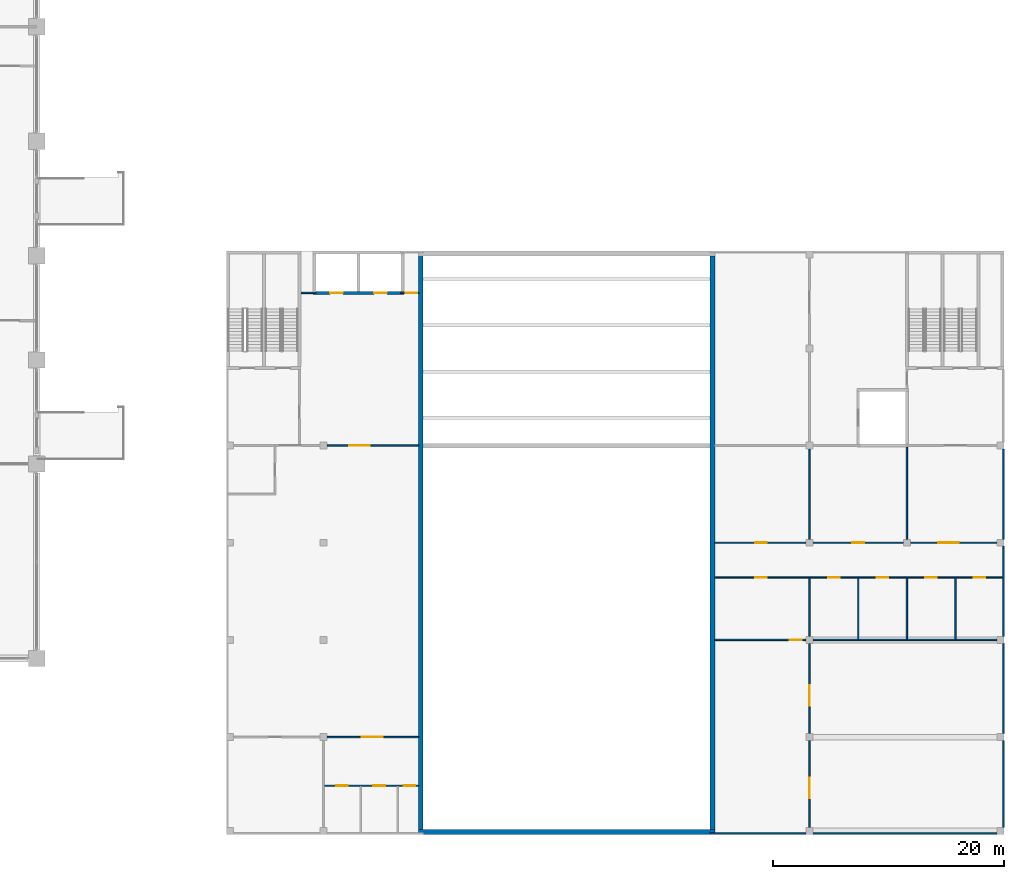
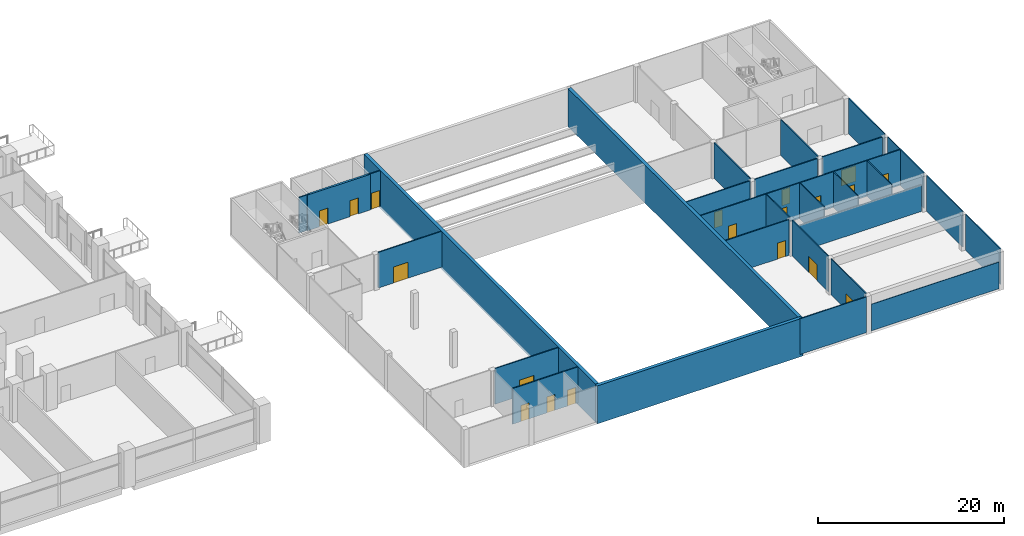
# One storey, part 24 of 33: 29 walls, 19 doors, 19 openings.
"""IFC4 building model written with IfcOpenShell, lengths in metres."""

from ifc_helpers import new_model, si_unit, direction, frame, frame_2d, origin, place, context, subcontext, project, spatial, rectangle, extrude, material, layer, layer_set, type_object, element, fill, save


model = new_model("IFC4")

# Units and contexts
model_context = context("Model", 3, precision=1e-05, world=origin(), true_north=direction((0.0, 1.0)))
body_context = subcontext(model_context, "Body", "Model", "MODEL_VIEW")
ifc_project = project(units=[si_unit("LENGTHUNIT", "METRE"), si_unit("AREAUNIT", "SQUARE_METRE"), si_unit("VOLUMEUNIT", "CUBIC_METRE"), si_unit("PLANEANGLEUNIT", "RADIAN"), si_unit("MASSUNIT", "GRAM", prefix="KILO")], contexts=[model_context])

# Site, building, storey
site_placement = place(None, origin())
site = spatial("IfcSite", under=ifc_project, at=site_placement, CompositionType="ELEMENT")
building_placement = place(site_placement, origin())
building = spatial("IfcBuilding", under=site, at=building_placement, Name="Candeia Pilgrim Tower and Theatre", CompositionType="ELEMENT")
storey_placement = place(building_placement, frame((0.0, 0.0, 29.0)))
storey = spatial("IfcBuildingStorey", under=building, at=storey_placement, Name="L04", CompositionType="ELEMENT", Elevation=29.0)

# Walls
ifc_material_1 = material(Name="Gypsum board on steel studs", Category="steel")
ifc_layer_1 = layer(ifc_material_1, 0.125)
ifc_layer_set_1 = layer_set([ifc_layer_1], Name="Partition 125")
wall_type_1 = type_object("IfcWallType", Name="Partition 125", PredefinedType="PARTITIONING", material=ifc_layer_set_1)
wall_1_placement = place(storey_placement, frame((217.800048828125, 66.0625, 0.0), z_axis=(0.0, 0.0, 1.0), x_axis=(1.0, 0.0, 0.0)))
element("IfcWall", 1, at=wall_1_placement, inside=storey, type_object=wall_type_1, Name="T-L04-W003", PredefinedType="PARTITIONING", context=body_context, shape_type="SweptSolid", body=[
    extrude(rectangle(XDim=8.300048828125, YDim=0.125, at=frame_2d((4.14990234375, 0.0))), origin(), (0.0, 0.0, 1.0), 4.699951171875),
])
wall_2_placement = place(storey_placement, frame((226.699951171875, 66.0625, 0.0), z_axis=(0.0, 0.0, 1.0), x_axis=(1.0, 0.0, 0.0)))
element("IfcWall", 2, at=wall_2_placement, inside=storey, type_object=wall_type_1, Name="T-L04-W004", PredefinedType="PARTITIONING", context=body_context, shape_type="SweptSolid", body=[
    extrude(rectangle(XDim=15.900146484375, YDim=0.125, at=frame_2d((7.9501953125, 0.0))), origin(), (0.0, 0.0, 1.0), 3.5),
])

# Wall, openings, doors
wall_3_placement = place(storey_placement, frame((184.46240234375, 70.199951171875, 0.0), z_axis=(0.0, 0.0, 1.0), x_axis=(1.0, 0.0, 0.0)))
wall_3 = element("IfcWall", 3, at=wall_3_placement, inside=storey, type_object=wall_type_1, Name="T-L04-W006", PredefinedType="PARTITIONING", context=body_context, shape_type="SweptSolid", body=[
    extrude(rectangle(XDim=8.1376953125, YDim=0.125, at=frame_2d((4.06884765625, 0.0))), origin(), (0.0, 0.0, 1.0), 4.699951171875),
])
opening_1_placement = place(wall_3_placement, frame((1.03759765625, 0.0, 0.0)))
opening_1 = element("IfcOpeningElement", 4, at=opening_1_placement, cuts=wall_3, Name="Opening TD-L04-013", PredefinedType="OPENING", context=body_context, shape_type="SweptSolid", body=[
    extrude(rectangle(XDim=1.0, YDim=2.10009765625, at=frame_2d((0.5, 1.050048828125))), frame((0.0, 0.072509765625, 0.0), z_axis=(0.0, -1.0, 0.0), x_axis=(1.0, 0.0, 0.0)), (0.0, 0.0, 1.0), 0.14501953125),
])
opening_2_placement = place(wall_3_placement, frame((4.237548828125, 0.0, 0.0)))
opening_2 = element("IfcOpeningElement", 5, at=opening_2_placement, cuts=wall_3, Name="Opening TD-L04-014", PredefinedType="OPENING", context=body_context, shape_type="SweptSolid", body=[
    extrude(rectangle(XDim=1.0, YDim=2.10009765625, at=frame_2d((0.5, 1.050048828125))), frame((0.0, 0.072509765625, 0.0), z_axis=(0.0, -1.0, 0.0), x_axis=(1.0, 0.0, 0.0)), (0.0, 0.0, 1.0), 0.14501953125),
])
opening_3_placement = place(wall_3_placement, frame((6.83740234375, 0.0, 0.0)))
opening_3 = element("IfcOpeningElement", 6, at=opening_3_placement, cuts=wall_3, Name="Opening TD-L04-015", PredefinedType="OPENING", context=body_context, shape_type="SweptSolid", body=[
    extrude(rectangle(XDim=1.0, YDim=2.10009765625, at=frame_2d((0.5, 1.050048828125))), frame((0.0, 0.072509765625, 0.0), z_axis=(0.0, -1.0, 0.0), x_axis=(1.0, 0.0, 0.0)), (0.0, 0.0, 1.0), 0.14501953125),
])
ifc_material_2 = material(Name="Timber door leaf", Category="wood")
door_type_1 = type_object("IfcDoorType", Name="Door single 1000x2100", OperationType="NOTDEFINED", PredefinedType="DOOR", material=ifc_material_2)
door_1_placement = place(opening_1_placement, origin())
door_1 = element("IfcDoor", 7, at=door_1_placement, inside=storey, type_object=door_type_1, Name="Door TD-L04-013", OperationType="SINGLE_SWING_LEFT", OverallHeight=2.10009765625, OverallWidth=1.0, PredefinedType="DOOR", context=body_context, shape_type="SweptSolid", body=[
    extrude(rectangle(XDim=1.0, YDim=2.10009765625, at=frame_2d((0.5, 1.050048828125))), frame((0.0, 0.02490234375, 0.0), z_axis=(0.0, -1.0, 0.0), x_axis=(1.0, 0.0, 0.0)), (0.0, 0.0, 1.0), 0.050048828125),
])
fill(opening_1, door_1)
door_2_placement = place(opening_2_placement, origin())
door_2 = element("IfcDoor", 8, at=door_2_placement, inside=storey, type_object=door_type_1, Name="Door TD-L04-014", OperationType="SINGLE_SWING_RIGHT", OverallHeight=2.10009765625, OverallWidth=1.0, PredefinedType="DOOR", context=body_context, shape_type="SweptSolid", body=[
    extrude(rectangle(XDim=1.0, YDim=2.10009765625, at=frame_2d((0.5, 1.050048828125))), frame((0.0, 0.02490234375, 0.0), z_axis=(0.0, -1.0, 0.0), x_axis=(1.0, 0.0, 0.0)), (0.0, 0.0, 1.0), 0.050048828125),
])
fill(opening_2, door_2)
door_3_placement = place(opening_3_placement, origin())
door_3 = element("IfcDoor", 9, at=door_3_placement, inside=storey, type_object=door_type_1, Name="Door TD-L04-015", OperationType="SINGLE_SWING_LEFT", OverallHeight=2.10009765625, OverallWidth=1.0, PredefinedType="DOOR", context=body_context, shape_type="SweptSolid", body=[
    extrude(rectangle(XDim=1.0, YDim=2.10009765625, at=frame_2d((0.5, 1.050048828125))), frame((0.0, 0.02490234375, 0.0), z_axis=(0.0, -1.0, 0.0), x_axis=(1.0, 0.0, 0.0)), (0.0, 0.0, 1.0), 0.050048828125),
])
fill(opening_3, door_3)

# Wall, opening, door
wall_4_placement = place(storey_placement, frame((184.699951171875, 74.39990234375, 0.0), z_axis=(0.0, 0.0, 1.0), x_axis=(1.0, 0.0, 0.0)))
wall_4 = element("IfcWall", 10, at=wall_4_placement, inside=storey, type_object=wall_type_1, Name="T-L04-W008", PredefinedType="PARTITIONING", context=body_context, shape_type="SweptSolid", body=[
    extrude(rectangle(XDim=7.900146484375, YDim=0.125, at=frame_2d((3.9501953125, 0.0))), origin(), (0.0, 0.0, 1.0), 4.699951171875),
])
opening_4_placement = place(wall_4_placement, frame((3.0, 0.0, 0.0)))
opening_4 = element("IfcOpeningElement", 11, at=opening_4_placement, cuts=wall_4, Name="Opening TD-L04-012", PredefinedType="OPENING", context=body_context, shape_type="SweptSolid", body=[
    extrude(rectangle(XDim=1.800048828125, YDim=2.10009765625, at=frame_2d((0.89990234375, 1.050048828125))), frame((0.0, 0.072509765625, 0.0), z_axis=(0.0, -1.0, 0.0), x_axis=(1.0, 0.0, 0.0)), (0.0, 0.0, 1.0), 0.14501953125),
])
door_type_2 = type_object("IfcDoorType", Name="Door double 1800x2100", OperationType="DOUBLE_DOOR_SINGLE_SWING", PredefinedType="DOOR", material=ifc_material_2)
door_4_placement = place(opening_4_placement, origin())
door_4 = element("IfcDoor", 12, at=door_4_placement, inside=storey, type_object=door_type_2, Name="Door TD-L04-012", OperationType="DOUBLE_DOOR_SINGLE_SWING", OverallHeight=2.10009765625, OverallWidth=1.800048828125, PredefinedType="DOOR", context=body_context, shape_type="SweptSolid", body=[
    extrude(rectangle(XDim=1.800048828125, YDim=2.10009765625, at=frame_2d((0.89990234375, 1.050048828125))), frame((0.0, 0.02490234375, 0.0), z_axis=(0.0, -1.0, 0.0), x_axis=(1.0, 0.0, 0.0)), (0.0, 0.0, 1.0), 0.050048828125),
])
fill(opening_4, door_4)

wall_5_placement = place(storey_placement, frame((218.199951171875, 82.800048828125, 0.0), z_axis=(0.0, 0.0, 1.0), x_axis=(1.0, 0.0, 0.0)))
wall_5 = element("IfcWall", 13, at=wall_5_placement, inside=storey, type_object=wall_type_1, Name="T-L04-W009", PredefinedType="PARTITIONING", context=body_context, shape_type="SweptSolid", body=[
    extrude(rectangle(XDim=7.900146484375, YDim=0.125, at=frame_2d((3.9501953125, 0.0))), origin(), (0.0, 0.0, 1.0), 4.699951171875),
])
opening_5_placement = place(wall_5_placement, frame((6.5, 0.0, 0.0)))
opening_5 = element("IfcOpeningElement", 14, at=opening_5_placement, cuts=wall_5, Name="Opening TD-L04-022", PredefinedType="OPENING", context=body_context, shape_type="SweptSolid", body=[
    extrude(rectangle(XDim=1.0, YDim=2.10009765625, at=frame_2d((0.5, 1.050048828125))), frame((0.0, 0.072509765625, 0.0), z_axis=(0.0, -1.0, 0.0), x_axis=(1.0, 0.0, 0.0)), (0.0, 0.0, 1.0), 0.14501953125),
])
door_5_placement = place(opening_5_placement, origin())
door_5 = element("IfcDoor", 15, at=door_5_placement, inside=storey, type_object=door_type_1, Name="Door TD-L04-022", OperationType="SINGLE_SWING_RIGHT", OverallHeight=2.10009765625, OverallWidth=1.0, PredefinedType="DOOR", context=body_context, shape_type="SweptSolid", body=[
    extrude(rectangle(XDim=1.0, YDim=2.10009765625, at=frame_2d((0.5, 1.050048828125))), frame((0.0, 0.02490234375, 0.0), z_axis=(0.0, -1.0, 0.0), x_axis=(1.0, 0.0, 0.0)), (0.0, 0.0, 1.0), 0.050048828125),
])
fill(opening_5, door_5)

# Wall
wall_6_placement = place(storey_placement, frame((226.699951171875, 82.800048828125, 0.0), z_axis=(0.0, 0.0, 1.0), x_axis=(1.0, 0.0, 0.0)))
element("IfcWall", 16, at=wall_6_placement, inside=storey, type_object=wall_type_1, Name="T-L04-W010", PredefinedType="PARTITIONING", context=body_context, shape_type="SweptSolid", body=[
    extrude(rectangle(XDim=15.900146484375, YDim=0.125, at=frame_2d((7.9501953125, 0.0))), origin(), (0.0, 0.0, 1.0), 3.5),
])

# Wall, openings, doors
wall_7_placement = place(storey_placement, frame((218.199951171875, 88.199951171875, 0.0), z_axis=(0.0, 0.0, 1.0), x_axis=(1.0, 0.0, 0.0)))
wall_7 = element("IfcWall", 17, at=wall_7_placement, inside=storey, type_object=wall_type_1, Name="T-L04-W011", PredefinedType="PARTITIONING", context=body_context, shape_type="SweptSolid", body=[
    extrude(rectangle(XDim=24.875, YDim=0.125, at=frame_2d((12.4375, 0.0))), origin(), (0.0, 0.0, 1.0), 4.699951171875),
])
opening_6_placement = place(wall_7_placement, frame((3.5, 0.0, 0.0)))
opening_6 = element("IfcOpeningElement", 18, at=opening_6_placement, cuts=wall_7, Name="Opening TD-L04-023", PredefinedType="OPENING", context=body_context, shape_type="SweptSolid", body=[
    extrude(rectangle(XDim=1.0, YDim=2.10009765625, at=frame_2d((0.5, 1.050048828125))), frame((0.0, 0.072509765625, 0.0), z_axis=(0.0, -1.0, 0.0), x_axis=(1.0, 0.0, 0.0)), (0.0, 0.0, 1.0), 0.14501953125),
])
opening_7_placement = place(wall_7_placement, frame((9.800048828125, 0.0, 0.0)))
opening_7 = element("IfcOpeningElement", 19, at=opening_7_placement, cuts=wall_7, Name="Opening TD-L04-024", PredefinedType="OPENING", context=body_context, shape_type="SweptSolid", body=[
    extrude(rectangle(XDim=1.0, YDim=2.10009765625, at=frame_2d((0.5, 1.050048828125))), frame((0.0, 0.072509765625, 0.0), z_axis=(0.0, -1.0, 0.0), x_axis=(1.0, 0.0, 0.0)), (0.0, 0.0, 1.0), 0.14501953125),
])
opening_8_placement = place(wall_7_placement, frame((14.0, 0.0, 0.0)))
opening_8 = element("IfcOpeningElement", 20, at=opening_8_placement, cuts=wall_7, Name="Opening TD-L04-025", PredefinedType="OPENING", context=body_context, shape_type="SweptSolid", body=[
    extrude(rectangle(XDim=1.0, YDim=2.10009765625, at=frame_2d((0.5, 1.050048828125))), frame((0.0, 0.072509765625, 0.0), z_axis=(0.0, -1.0, 0.0), x_axis=(1.0, 0.0, 0.0)), (0.0, 0.0, 1.0), 0.14501953125),
])
opening_9_placement = place(wall_7_placement, frame((18.199951171875, 0.0, 0.0)))
opening_9 = element("IfcOpeningElement", 21, at=opening_9_placement, cuts=wall_7, Name="Opening TD-L04-026", PredefinedType="OPENING", context=body_context, shape_type="SweptSolid", body=[
    extrude(rectangle(XDim=1.0, YDim=2.10009765625, at=frame_2d((0.5, 1.050048828125))), frame((0.0, 0.072509765625, 0.0), z_axis=(0.0, -1.0, 0.0), x_axis=(1.0, 0.0, 0.0)), (0.0, 0.0, 1.0), 0.14501953125),
])
opening_10_placement = place(wall_7_placement, frame((22.39990234375, 0.0, 0.0)))
opening_10 = element("IfcOpeningElement", 22, at=opening_10_placement, cuts=wall_7, Name="Opening TD-L04-027", PredefinedType="OPENING", context=body_context, shape_type="SweptSolid", body=[
    extrude(rectangle(XDim=1.0, YDim=2.10009765625, at=frame_2d((0.5, 1.050048828125))), frame((0.0, 0.072509765625, 0.0), z_axis=(0.0, -1.0, 0.0), x_axis=(1.0, 0.0, 0.0)), (0.0, 0.0, 1.0), 0.14501953125),
])
door_6_placement = place(opening_6_placement, origin())
door_6 = element("IfcDoor", 23, at=door_6_placement, inside=storey, type_object=door_type_1, Name="Door TD-L04-023", OperationType="SINGLE_SWING_LEFT", OverallHeight=2.10009765625, OverallWidth=1.0, PredefinedType="DOOR", context=body_context, shape_type="SweptSolid", body=[
    extrude(rectangle(XDim=1.0, YDim=2.10009765625, at=frame_2d((0.5, 1.050048828125))), frame((0.0, 0.02490234375, 0.0), z_axis=(0.0, -1.0, 0.0), x_axis=(1.0, 0.0, 0.0)), (0.0, 0.0, 1.0), 0.050048828125),
])
fill(opening_6, door_6)
door_7_placement = place(opening_7_placement, origin())
door_7 = element("IfcDoor", 24, at=door_7_placement, inside=storey, type_object=door_type_1, Name="Door TD-L04-024", OperationType="SINGLE_SWING_RIGHT", OverallHeight=2.10009765625, OverallWidth=1.0, PredefinedType="DOOR", context=body_context, shape_type="SweptSolid", body=[
    extrude(rectangle(XDim=1.0, YDim=2.10009765625, at=frame_2d((0.5, 1.050048828125))), frame((0.0, 0.02490234375, 0.0), z_axis=(0.0, -1.0, 0.0), x_axis=(1.0, 0.0, 0.0)), (0.0, 0.0, 1.0), 0.050048828125),
])
fill(opening_7, door_7)
door_8_placement = place(opening_8_placement, origin())
door_8 = element("IfcDoor", 25, at=door_8_placement, inside=storey, type_object=door_type_1, Name="Door TD-L04-025", OperationType="SINGLE_SWING_LEFT", OverallHeight=2.10009765625, OverallWidth=1.0, PredefinedType="DOOR", context=body_context, shape_type="SweptSolid", body=[
    extrude(rectangle(XDim=1.0, YDim=2.10009765625, at=frame_2d((0.5, 1.050048828125))), frame((0.0, 0.02490234375, 0.0), z_axis=(0.0, -1.0, 0.0), x_axis=(1.0, 0.0, 0.0)), (0.0, 0.0, 1.0), 0.050048828125),
])
fill(opening_8, door_8)
door_9_placement = place(opening_9_placement, origin())
door_9 = element("IfcDoor", 26, at=door_9_placement, inside=storey, type_object=door_type_1, Name="Door TD-L04-026", OperationType="SINGLE_SWING_RIGHT", OverallHeight=2.10009765625, OverallWidth=1.0, PredefinedType="DOOR", context=body_context, shape_type="SweptSolid", body=[
    extrude(rectangle(XDim=1.0, YDim=2.10009765625, at=frame_2d((0.5, 1.050048828125))), frame((0.0, 0.02490234375, 0.0), z_axis=(0.0, -1.0, 0.0), x_axis=(1.0, 0.0, 0.0)), (0.0, 0.0, 1.0), 0.050048828125),
])
fill(opening_9, door_9)
door_10_placement = place(opening_10_placement, origin())
door_10 = element("IfcDoor", 27, at=door_10_placement, inside=storey, type_object=door_type_1, Name="Door TD-L04-027", OperationType="SINGLE_SWING_LEFT", OverallHeight=2.10009765625, OverallWidth=1.0, PredefinedType="DOOR", context=body_context, shape_type="SweptSolid", body=[
    extrude(rectangle(XDim=1.0, YDim=2.10009765625, at=frame_2d((0.5, 1.050048828125))), frame((0.0, 0.02490234375, 0.0), z_axis=(0.0, -1.0, 0.0), x_axis=(1.0, 0.0, 0.0)), (0.0, 0.0, 1.0), 0.050048828125),
])
fill(opening_10, door_10)

# Wall, opening, door
wall_8_placement = place(storey_placement, frame((218.199951171875, 91.199951171875, 0.0), z_axis=(0.0, 0.0, 1.0), x_axis=(1.0, 0.0, 0.0)))
wall_8 = element("IfcWall", 28, at=wall_8_placement, inside=storey, type_object=wall_type_1, Name="T-L04-W012", PredefinedType="PARTITIONING", context=body_context, shape_type="SweptSolid", body=[
    extrude(rectangle(XDim=7.900146484375, YDim=0.125, at=frame_2d((3.9501953125, 0.0))), origin(), (0.0, 0.0, 1.0), 4.699951171875),
])
opening_11_placement = place(wall_8_placement, frame((3.5, 0.0, 0.0)))
opening_11 = element("IfcOpeningElement", 29, at=opening_11_placement, cuts=wall_8, Name="Opening TD-L04-028", PredefinedType="OPENING", context=body_context, shape_type="SweptSolid", body=[
    extrude(rectangle(XDim=1.0, YDim=2.10009765625, at=frame_2d((0.5, 1.050048828125))), frame((0.0, 0.072509765625, 0.0), z_axis=(0.0, -1.0, 0.0), x_axis=(1.0, 0.0, 0.0)), (0.0, 0.0, 1.0), 0.14501953125),
])
door_11_placement = place(opening_11_placement, origin())
door_11 = element("IfcDoor", 30, at=door_11_placement, inside=storey, type_object=door_type_1, Name="Door TD-L04-028", OperationType="SINGLE_SWING_RIGHT", OverallHeight=2.10009765625, OverallWidth=1.0, PredefinedType="DOOR", context=body_context, shape_type="SweptSolid", body=[
    extrude(rectangle(XDim=1.0, YDim=2.10009765625, at=frame_2d((0.5, 1.050048828125))), frame((0.0, 0.02490234375, 0.0), z_axis=(0.0, -1.0, 0.0), x_axis=(1.0, 0.0, 0.0)), (0.0, 0.0, 1.0), 0.050048828125),
])
fill(opening_11, door_11)

wall_9_placement = place(storey_placement, frame((226.699951171875, 91.199951171875, 0.0), z_axis=(0.0, 0.0, 1.0), x_axis=(1.0, 0.0, 0.0)))
wall_9 = element("IfcWall", 31, at=wall_9_placement, inside=storey, type_object=wall_type_1, Name="T-L04-W013", PredefinedType="PARTITIONING", context=body_context, shape_type="SweptSolid", body=[
    extrude(rectangle(XDim=7.800048828125, YDim=0.125, at=frame_2d((3.89990234375, 0.0))), origin(), (0.0, 0.0, 1.0), 4.699951171875),
])
opening_12_placement = place(wall_9_placement, frame((3.39990234375, 0.0, 0.0)))
opening_12 = element("IfcOpeningElement", 32, at=opening_12_placement, cuts=wall_9, Name="Opening TD-L04-029", PredefinedType="OPENING", context=body_context, shape_type="SweptSolid", body=[
    extrude(rectangle(XDim=1.0, YDim=2.10009765625, at=frame_2d((0.5, 1.050048828125))), frame((0.0, 0.072509765625, 0.0), z_axis=(0.0, -1.0, 0.0), x_axis=(1.0, 0.0, 0.0)), (0.0, 0.0, 1.0), 0.14501953125),
])
door_12_placement = place(opening_12_placement, origin())
door_12 = element("IfcDoor", 33, at=door_12_placement, inside=storey, type_object=door_type_1, Name="Door TD-L04-029", OperationType="SINGLE_SWING_LEFT", OverallHeight=2.10009765625, OverallWidth=1.0, PredefinedType="DOOR", context=body_context, shape_type="SweptSolid", body=[
    extrude(rectangle(XDim=1.0, YDim=2.10009765625, at=frame_2d((0.5, 1.050048828125))), frame((0.0, 0.02490234375, 0.0), z_axis=(0.0, -1.0, 0.0), x_axis=(1.0, 0.0, 0.0)), (0.0, 0.0, 1.0), 0.050048828125),
])
fill(opening_12, door_12)

wall_10_placement = place(storey_placement, frame((235.10009765625, 91.199951171875, 0.0), z_axis=(0.0, 0.0, 1.0), x_axis=(1.0, 0.0, 0.0)))
wall_10 = element("IfcWall", 34, at=wall_10_placement, inside=storey, type_object=wall_type_1, Name="T-L04-W014", PredefinedType="PARTITIONING", context=body_context, shape_type="SweptSolid", body=[
    extrude(rectangle(XDim=7.5, YDim=0.125, at=frame_2d((3.75, 0.0))), origin(), (0.0, 0.0, 1.0), 4.699951171875),
])
opening_13_placement = place(wall_10_placement, frame((2.39990234375, 0.0, 0.0)))
opening_13 = element("IfcOpeningElement", 35, at=opening_13_placement, cuts=wall_10, Name="Opening TD-L04-030", PredefinedType="OPENING", context=body_context, shape_type="SweptSolid", body=[
    extrude(rectangle(XDim=1.800048828125, YDim=2.10009765625, at=frame_2d((0.89990234375, 1.050048828125))), frame((0.0, 0.072509765625, 0.0), z_axis=(0.0, -1.0, 0.0), x_axis=(1.0, 0.0, 0.0)), (0.0, 0.0, 1.0), 0.14501953125),
])
door_13_placement = place(opening_13_placement, origin())
door_13 = element("IfcDoor", 36, at=door_13_placement, inside=storey, type_object=door_type_2, Name="Door TD-L04-030", OperationType="DOUBLE_DOOR_SINGLE_SWING", OverallHeight=2.10009765625, OverallWidth=1.800048828125, PredefinedType="DOOR", context=body_context, shape_type="SweptSolid", body=[
    extrude(rectangle(XDim=1.800048828125, YDim=2.10009765625, at=frame_2d((0.89990234375, 1.050048828125))), frame((0.0, 0.02490234375, 0.0), z_axis=(0.0, -1.0, 0.0), x_axis=(1.0, 0.0, 0.0)), (0.0, 0.0, 1.0), 0.050048828125),
])
fill(opening_13, door_13)

wall_11_placement = place(storey_placement, frame((184.699951171875, 99.60009765625, 0.0), z_axis=(0.0, 0.0, 1.0), x_axis=(1.0, 0.0, 0.0)))
wall_11 = element("IfcWall", 37, at=wall_11_placement, inside=storey, type_object=wall_type_1, Name="T-L04-W017", PredefinedType="PARTITIONING", context=body_context, shape_type="SweptSolid", body=[
    extrude(rectangle(XDim=7.900146484375, YDim=0.125, at=frame_2d((3.9501953125, 0.0))), origin(), (0.0, 0.0, 1.0), 4.699951171875),
])
opening_14_placement = place(wall_11_placement, frame((1.89990234375, 0.0, 0.0)))
opening_14 = element("IfcOpeningElement", 38, at=opening_14_placement, cuts=wall_11, Name="Opening TD-L04-019", PredefinedType="OPENING", context=body_context, shape_type="SweptSolid", body=[
    extrude(rectangle(XDim=1.800048828125, YDim=2.10009765625, at=frame_2d((0.89990234375, 1.050048828125))), frame((0.0, 0.072509765625, 0.0), z_axis=(0.0, -1.0, 0.0), x_axis=(1.0, 0.0, 0.0)), (0.0, 0.0, 1.0), 0.14501953125),
])
door_14_placement = place(opening_14_placement, origin())
door_14 = element("IfcDoor", 39, at=door_14_placement, inside=storey, type_object=door_type_2, Name="Door TD-L04-019", OperationType="DOUBLE_DOOR_SINGLE_SWING", OverallHeight=2.10009765625, OverallWidth=1.800048828125, PredefinedType="DOOR", context=body_context, shape_type="SweptSolid", body=[
    extrude(rectangle(XDim=1.800048828125, YDim=2.10009765625, at=frame_2d((0.89990234375, 1.050048828125))), frame((0.0, 0.02490234375, 0.0), z_axis=(0.0, -1.0, 0.0), x_axis=(1.0, 0.0, 0.0)), (0.0, 0.0, 1.0), 0.050048828125),
])
fill(opening_14, door_14)

# Wall
wall_12_placement = place(storey_placement, frame((182.449951171875, 112.800048828125, 0.0), z_axis=(0.0, 0.0, 1.0), x_axis=(1.0, 0.0, 0.0)))
element("IfcWall", 40, at=wall_12_placement, inside=storey, type_object=wall_type_1, Name="T-L04-W026", PredefinedType="PARTITIONING", context=body_context, shape_type="SweptSolid", body=[
    extrude(rectangle(XDim=1.275146484375, YDim=0.125, at=frame_2d((0.6376953125, 0.0))), origin(), (0.0, 0.0, 1.0), 4.699951171875),
])

# Wall, opening, door
wall_13_placement = place(storey_placement, frame((191.074951171875, 112.800048828125, 0.0), z_axis=(0.0, 0.0, 1.0), x_axis=(1.0, 0.0, 0.0)))
wall_13 = element("IfcWall", 41, at=wall_13_placement, inside=storey, type_object=wall_type_1, Name="T-L04-W028", PredefinedType="PARTITIONING", context=body_context, shape_type="SweptSolid", body=[
    extrude(rectangle(XDim=1.525146484375, YDim=0.125, at=frame_2d((0.7626953125, 0.0))), origin(), (0.0, 0.0, 1.0), 4.699951171875),
])
opening_15_placement = place(wall_13_placement, frame((0.425048828125, 0.0, 0.0)))
opening_15 = element("IfcOpeningElement", 42, at=opening_15_placement, cuts=wall_13, Name="Opening TD-L04-006", PredefinedType="OPENING", context=body_context, shape_type="SweptSolid", body=[
    extrude(rectangle(XDim=1.0, YDim=2.10009765625, at=frame_2d((0.5, 1.050048828125))), frame((0.0, 0.072509765625, 0.0), z_axis=(0.0, -1.0, 0.0), x_axis=(1.0, 0.0, 0.0)), (0.0, 0.0, 1.0), 0.14501953125),
])
ifc_material_3 = material(Name="Steel fire door leaf", Category="steel")
door_type_3 = type_object("IfcDoorType", Name="Door fire single 1000x2100", OperationType="NOTDEFINED", PredefinedType="DOOR", material=ifc_material_3)
door_15_placement = place(opening_15_placement, origin())
door_15 = element("IfcDoor", 43, at=door_15_placement, inside=storey, type_object=door_type_3, Name="Door TD-L04-006", OperationType="SINGLE_SWING_RIGHT", OverallHeight=2.10009765625, OverallWidth=1.0, PredefinedType="DOOR", context=body_context, shape_type="SweptSolid", body=[
    extrude(rectangle(XDim=1.0, YDim=2.10009765625, at=frame_2d((0.5, 1.050048828125))), frame((0.0, 0.02490234375, 0.0), z_axis=(0.0, -1.0, 0.0), x_axis=(1.0, 0.0, 0.0)), (0.0, 0.0, 1.0), 0.050048828125),
])
fill(opening_15, door_15)

wall_14_placement = place(storey_placement, frame((226.39990234375, 66.60009765625, 0.0), z_axis=(0.0, 0.0, 1.0), x_axis=(0.0, 1.0, 0.0)))
wall_14 = element("IfcWall", 44, at=wall_14_placement, inside=storey, type_object=wall_type_1, Name="T-L04-W054", PredefinedType="PARTITIONING", context=body_context, shape_type="SweptSolid", body=[
    extrude(rectangle(XDim=7.5, YDim=0.125, at=frame_2d((3.75, 0.0))), origin(), (0.0, 0.0, 1.0), 4.699951171875),
])
opening_16_placement = place(wall_14_placement, frame((2.5, 0.0, 0.0)))
opening_16 = element("IfcOpeningElement", 45, at=opening_16_placement, cuts=wall_14, Name="Opening TD-L04-020", PredefinedType="OPENING", context=body_context, shape_type="SweptSolid", body=[
    extrude(rectangle(XDim=1.800048828125, YDim=2.10009765625, at=frame_2d((0.89990234375, 1.050048828125))), frame((0.0, 0.072509765625, 0.0), z_axis=(0.0, -1.0, 0.0), x_axis=(1.0, 0.0, 0.0)), (0.0, 0.0, 1.0), 0.14501953125),
])
door_16_placement = place(opening_16_placement, origin())
door_16 = element("IfcDoor", 46, at=door_16_placement, inside=storey, type_object=door_type_2, Name="Door TD-L04-020", OperationType="DOUBLE_DOOR_SINGLE_SWING", OverallHeight=2.10009765625, OverallWidth=1.800048828125, PredefinedType="DOOR", context=body_context, shape_type="SweptSolid", body=[
    extrude(rectangle(XDim=1.800048828125, YDim=2.10009765625, at=frame_2d((0.89990234375, 1.050048828125))), frame((0.0, 0.02490234375, 0.0), z_axis=(0.0, -1.0, 0.0), x_axis=(1.0, 0.0, 0.0)), (0.0, 0.0, 1.0), 0.050048828125),
])
fill(opening_16, door_16)

wall_15_placement = place(storey_placement, frame((226.39990234375, 74.699951171875, 0.0), z_axis=(0.0, 0.0, 1.0), x_axis=(0.0, 1.0, 0.0)))
wall_15 = element("IfcWall", 47, at=wall_15_placement, inside=storey, type_object=wall_type_1, Name="T-L04-W055", PredefinedType="PARTITIONING", context=body_context, shape_type="SweptSolid", body=[
    extrude(rectangle(XDim=7.800048828125, YDim=0.125, at=frame_2d((3.89990234375, 0.0))), origin(), (0.0, 0.0, 1.0), 4.699951171875),
])
opening_17_placement = place(wall_15_placement, frame((2.39990234375, 0.0, 0.0)))
opening_17 = element("IfcOpeningElement", 48, at=opening_17_placement, cuts=wall_15, Name="Opening TD-L04-021", PredefinedType="OPENING", context=body_context, shape_type="SweptSolid", body=[
    extrude(rectangle(XDim=1.800048828125, YDim=2.10009765625, at=frame_2d((0.89990234375, 1.050048828125))), frame((0.0, 0.072509765625, 0.0), z_axis=(0.0, -1.0, 0.0), x_axis=(1.0, 0.0, 0.0)), (0.0, 0.0, 1.0), 0.14501953125),
])
door_17_placement = place(opening_17_placement, origin())
door_17 = element("IfcDoor", 49, at=door_17_placement, inside=storey, type_object=door_type_2, Name="Door TD-L04-021", OperationType="DOUBLE_DOOR_SINGLE_SWING", OverallHeight=2.10009765625, OverallWidth=1.800048828125, PredefinedType="DOOR", context=body_context, shape_type="SweptSolid", body=[
    extrude(rectangle(XDim=1.800048828125, YDim=2.10009765625, at=frame_2d((0.89990234375, 1.050048828125))), frame((0.0, 0.02490234375, 0.0), z_axis=(0.0, -1.0, 0.0), x_axis=(1.0, 0.0, 0.0)), (0.0, 0.0, 1.0), 0.050048828125),
])
fill(opening_17, door_17)

# Walls
wall_16_placement = place(storey_placement, frame((226.39990234375, 83.10009765625, 0.0), z_axis=(0.0, 0.0, 1.0), x_axis=(0.0, 1.0, 0.0)))
element("IfcWall", 50, at=wall_16_placement, inside=storey, type_object=wall_type_1, Name="T-L04-W056", PredefinedType="PARTITIONING", context=body_context, shape_type="SweptSolid", body=[
    extrude(rectangle(XDim=5.037353515625, YDim=0.125, at=frame_2d((2.5185546875, 0.0))), origin(), (0.0, 0.0, 1.0), 4.699951171875),
])
wall_17_placement = place(storey_placement, frame((226.39990234375, 91.5, 0.0), z_axis=(0.0, 0.0, 1.0), x_axis=(0.0, 1.0, 0.0)))
element("IfcWall", 51, at=wall_17_placement, inside=storey, type_object=wall_type_1, Name="T-L04-W057", PredefinedType="PARTITIONING", context=body_context, shape_type="SweptSolid", body=[
    extrude(rectangle(XDim=7.800048828125, YDim=0.125, at=frame_2d((3.89990234375, 0.0))), origin(), (0.0, 0.0, 1.0), 4.699951171875),
])
for number, where, z_axis, x_axis, name in (
    (52, (230.60009765625, 82.862548828125, 0.0), (0.0, 0.0, 1.0), (0.0, 1.0, 0.0), "T-L04-W060"),
    (53, (234.800048828125, 82.862548828125, 0.0), (0.0, 0.0, 1.0), (0.0, 1.0, 0.0), "T-L04-W062"),
):
    element("IfcWall", number, at=place(storey_placement, frame(where, z_axis=z_axis, x_axis=x_axis)), inside=storey, type_object=wall_type_1, Name=name, PredefinedType="PARTITIONING", context=body_context, shape_type="SweptSolid", body=[
        extrude(rectangle(XDim=5.27490234375, YDim=0.125, at=frame_2d((2.637451171875, 0.0))), origin(), (0.0, 0.0, 1.0), 4.699951171875),
    ])
wall_18_placement = place(storey_placement, frame((234.800048828125, 91.5, 0.0), z_axis=(0.0, 0.0, 1.0), x_axis=(0.0, 1.0, 0.0)))
element("IfcWall", 54, at=wall_18_placement, inside=storey, type_object=wall_type_1, Name="T-L04-W063", PredefinedType="PARTITIONING", context=body_context, shape_type="SweptSolid", body=[
    extrude(rectangle(XDim=7.97509765625, YDim=0.125, at=frame_2d((3.987548828125, 0.0))), origin(), (0.0, 0.0, 1.0), 4.699951171875),
])
wall_19_placement = place(storey_placement, frame((239.0, 82.862548828125, 0.0), z_axis=(0.0, 0.0, 1.0), x_axis=(0.0, 1.0, 0.0)))
element("IfcWall", 55, at=wall_19_placement, inside=storey, type_object=wall_type_1, Name="T-L04-W068", PredefinedType="PARTITIONING", context=body_context, shape_type="SweptSolid", body=[
    extrude(rectangle(XDim=5.27490234375, YDim=0.125, at=frame_2d((2.637451171875, 0.0))), origin(), (0.0, 0.0, 1.0), 4.699951171875),
])
wall_20_placement = place(storey_placement, frame((243.137451171875, 66.60009765625, 0.0), z_axis=(0.0, 0.0, 1.0), x_axis=(0.0, 1.0, 0.0)))
element("IfcWall", 56, at=wall_20_placement, inside=storey, type_object=wall_type_1, Name="T-L04-W071", PredefinedType="PARTITIONING", context=body_context, shape_type="SweptSolid", body=[
    extrude(rectangle(XDim=7.5, YDim=0.125, at=frame_2d((3.75, 0.0))), origin(), (0.0, 0.0, 1.0), 4.699951171875),
])
wall_21_placement = place(storey_placement, frame((243.137451171875, 74.699951171875, 0.0), z_axis=(0.0, 0.0, 1.0), x_axis=(0.0, 1.0, 0.0)))
element("IfcWall", 57, at=wall_21_placement, inside=storey, type_object=wall_type_1, Name="T-L04-W072", PredefinedType="PARTITIONING", context=body_context, shape_type="SweptSolid", body=[
    extrude(rectangle(XDim=7.800048828125, YDim=0.125, at=frame_2d((3.89990234375, 0.0))), origin(), (0.0, 0.0, 1.0), 4.699951171875),
])
wall_22_placement = place(storey_placement, frame((243.137451171875, 83.10009765625, 0.0), z_axis=(0.0, 0.0, 1.0), x_axis=(0.0, 1.0, 0.0)))
element("IfcWall", 58, at=wall_22_placement, inside=storey, type_object=wall_type_1, Name="T-L04-W073", PredefinedType="PARTITIONING", context=body_context, shape_type="SweptSolid", body=[
    extrude(rectangle(XDim=7.7998046875, YDim=0.125, at=frame_2d((3.89990234375, 0.0))), origin(), (0.0, 0.0, 1.0), 4.699951171875),
])
wall_23_placement = place(storey_placement, frame((243.137451171875, 91.5, 0.0), z_axis=(0.0, 0.0, 1.0), x_axis=(0.0, 1.0, 0.0)))
element("IfcWall", 59, at=wall_23_placement, inside=storey, type_object=wall_type_1, Name="T-L04-W074", PredefinedType="PARTITIONING", context=body_context, shape_type="SweptSolid", body=[
    extrude(rectangle(XDim=7.800048828125, YDim=0.125, at=frame_2d((3.89990234375, 0.0))), origin(), (0.0, 0.0, 1.0), 4.699951171875),
])

# Wall, openings, doors
ifc_material_4 = material(Name="Concrete C35/45", Category="concrete")
ifc_layer_2 = layer(ifc_material_4, 0.25)
ifc_layer_set_2 = layer_set([ifc_layer_2], Name="RC wall 250 C35/45")
wall_type_2 = type_object("IfcWallType", Name="RC wall 250 C35/45", PredefinedType="SOLIDWALL", material=ifc_layer_set_2)
wall_24_placement = place(storey_placement, frame((183.47509765625, 112.800048828125, 0.0), z_axis=(0.0, 0.0, 1.0), x_axis=(1.0, 0.0, 0.0)))
wall_24 = element("IfcWall", 60, at=wall_24_placement, inside=storey, type_object=wall_type_2, Name="T-L04-W027", PredefinedType="SOLIDWALL", context=body_context, shape_type="SweptSolid", body=[
    extrude(rectangle(XDim=7.849853515625, YDim=0.25, at=frame_2d((3.9248046875, 0.0))), origin(), (0.0, 0.0, 1.0), 4.699951171875),
])
opening_18_placement = place(wall_24_placement, frame((1.47509765625, 0.0, 0.0)))
opening_18 = element("IfcOpeningElement", 61, at=opening_18_placement, cuts=wall_24, Name="Opening TD-L04-004", PredefinedType="OPENING", context=body_context, shape_type="SweptSolid", body=[
    extrude(rectangle(XDim=1.10009765625, YDim=2.10009765625, at=frame_2d((0.550048828125, 1.050048828125))), frame((0.0, 0.135009765625, 0.0), z_axis=(0.0, -1.0, 0.0), x_axis=(1.0, 0.0, 0.0)), (0.0, 0.0, 1.0), 0.27001953125),
])
opening_19_placement = place(wall_24_placement, frame((5.27490234375, 0.0, 0.0)))
opening_19 = element("IfcOpeningElement", 62, at=opening_19_placement, cuts=wall_24, Name="Opening TD-L04-005", PredefinedType="OPENING", context=body_context, shape_type="SweptSolid", body=[
    extrude(rectangle(XDim=1.10009765625, YDim=2.10009765625, at=frame_2d((0.550048828125, 1.050048828125))), frame((0.0, 0.135009765625, 0.0), z_axis=(0.0, -1.0, 0.0), x_axis=(1.0, 0.0, 0.0)), (0.0, 0.0, 1.0), 0.27001953125),
])
ifc_material_5 = material(Name="Stainless steel landing door", Category="steel")
door_type_4 = type_object("IfcDoorType", Name="Door lift landing 1100x2100", OperationType="DOUBLE_DOOR_SLIDING", PredefinedType="DOOR", material=ifc_material_5)
door_18_placement = place(opening_18_placement, origin())
door_18 = element("IfcDoor", 63, at=door_18_placement, inside=storey, type_object=door_type_4, Name="Door TD-L04-004", OperationType="DOUBLE_DOOR_SLIDING", OverallHeight=2.10009765625, OverallWidth=1.10009765625, PredefinedType="DOOR", context=body_context, shape_type="SweptSolid", body=[
    extrude(rectangle(XDim=1.10009765625, YDim=2.10009765625, at=frame_2d((0.550048828125, 1.050048828125))), frame((0.0, 0.02490234375, 0.0), z_axis=(0.0, -1.0, 0.0), x_axis=(1.0, 0.0, 0.0)), (0.0, 0.0, 1.0), 0.050048828125),
])
fill(opening_18, door_18)
door_19_placement = place(opening_19_placement, origin())
door_19 = element("IfcDoor", 64, at=door_19_placement, inside=storey, type_object=door_type_4, Name="Door TD-L04-005", OperationType="DOUBLE_DOOR_SLIDING", OverallHeight=2.10009765625, OverallWidth=1.10009765625, PredefinedType="DOOR", context=body_context, shape_type="SweptSolid", body=[
    extrude(rectangle(XDim=1.10009765625, YDim=2.10009765625, at=frame_2d((0.550048828125, 1.050048828125))), frame((0.0, 0.02490234375, 0.0), z_axis=(0.0, -1.0, 0.0), x_axis=(1.0, 0.0, 0.0)), (0.0, 0.0, 1.0), 0.050048828125),
])
fill(opening_19, door_19)

# Walls
ifc_material_6 = material(Name="Concrete C40/50", Category="concrete")
ifc_layer_3 = layer(ifc_material_6, 0.39990234375)
ifc_layer_set_3 = layer_set([ifc_layer_3], Name="RC wall 400 house C40/50")
wall_type_3 = type_object("IfcWallType", Name="RC wall 400 house C40/50", PredefinedType="SOLIDWALL", material=ifc_layer_set_3)
wall_25_placement = place(storey_placement, frame((192.60009765625, 66.199951171875, -0.300048828125), z_axis=(0.0, 0.0, 1.0), x_axis=(1.0, 0.0, 0.0)))
element("IfcWall", 65, at=wall_25_placement, inside=storey, type_object=wall_type_3, Name="T-L04-W005", PredefinedType="SOLIDWALL", context=body_context, shape_type="SweptSolid", body=[
    extrude(rectangle(XDim=25.599853515625, YDim=0.39990234375, at=frame_2d((12.7998046875, 0.0))), origin(), (0.0, 0.0, 1.0), 5.0),
])
wall_26_placement = place(storey_placement, frame((192.800048828125, 66.125, -0.300048828125), z_axis=(0.0, 0.0, 1.0), x_axis=(0.0, 1.0, 0.0)))
element("IfcWall", 66, at=wall_26_placement, inside=storey, type_object=wall_type_3, Name="T-L04-W052", PredefinedType="SOLIDWALL", context=body_context, shape_type="SweptSolid", body=[
    extrude(rectangle(XDim=50.14990234375, YDim=0.39990234375, at=frame_2d((25.074951171875, 0.0))), origin(), (0.0, 0.0, 1.0), 5.0),
])
wall_27_placement = place(storey_placement, frame((218.0, 66.39990234375, -0.300048828125), z_axis=(0.0, 0.0, 1.0), x_axis=(0.0, 1.0, 0.0)))
element("IfcWall", 67, at=wall_27_placement, inside=storey, type_object=wall_type_3, Name="T-L04-W053", PredefinedType="SOLIDWALL", context=body_context, shape_type="SweptSolid", body=[
    extrude(rectangle(XDim=49.60009765625, YDim=0.39990234375, at=frame_2d((24.800048828125, 0.0))), origin(), (0.0, 0.0, 1.0), 5.0),
])

save(model, "model.ifc")
